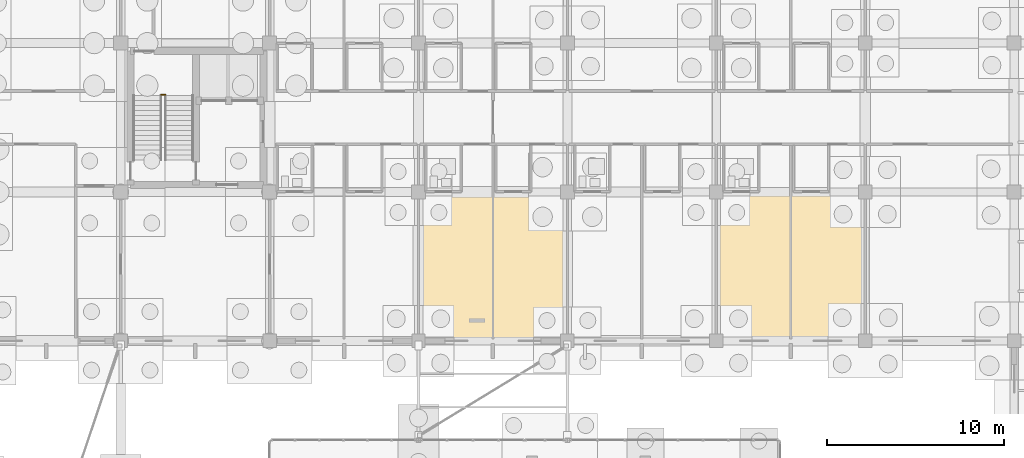
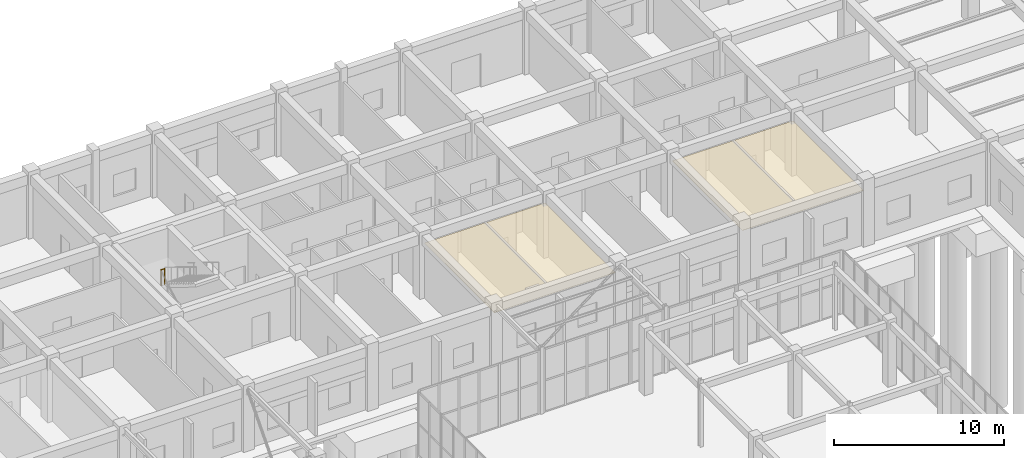
# One storey, part 186 of 192: 2 coverings, 1 railing.
"""IFC4 building model written with IfcOpenShell, lengths in metres."""

from ifc_helpers import new_model, si_unit, direction, frame, origin, origin_2d, place, context, subcontext, project, spatial, polyline, circle, outline, extrude, material, layer, layer_set, type_object, element, save


model = new_model("IFC4")

# Units and contexts
model_context = context("Model", 3, precision=1e-05, world=origin(), true_north=direction((0.0, 1.0)))
body_context = subcontext(model_context, "Body", "Model", "MODEL_VIEW")
ifc_project = project(units=[si_unit("LENGTHUNIT", "METRE"), si_unit("AREAUNIT", "SQUARE_METRE"), si_unit("VOLUMEUNIT", "CUBIC_METRE"), si_unit("PLANEANGLEUNIT", "RADIAN"), si_unit("MASSUNIT", "GRAM", prefix="KILO")], contexts=[model_context])

# Site, building, storey
site_placement = place(None, origin())
site = spatial("IfcSite", under=ifc_project, at=site_placement, CompositionType="ELEMENT")
building_placement = place(site_placement, origin())
building = spatial("IfcBuilding", under=site, at=building_placement, Name="Trelvath General Hospital", CompositionType="ELEMENT")
storey_placement = place(building_placement, origin())
storey = spatial("IfcBuildingStorey", under=building, at=storey_placement, Name="L00", CompositionType="ELEMENT", Elevation=0.0)

# Coverings
ifc_material_1 = material(Name="Hygienic acoustic ceiling tile")
ifc_layer = layer(ifc_material_1, 0.02490234375)
ifc_layer_set = layer_set([ifc_layer], Name="Hygienic acoustic ceiling tile")
covering_type = type_object("IfcCoveringType", Name="Ceiling ClinicalAcoustic", PredefinedType="CEILING", material=ifc_layer_set)
covering_1_placement = place(storey_placement, frame((0.0, 0.0, 3.679931640625)))
element("IfcCovering", 1, at=covering_1_placement, inside=storey, type_object=covering_type, Name="Clinical Acoustic Ceiling L00-11", PredefinedType="CEILING", context=body_context, shape_type="SweptSolid", body=[
    extrude(outline(polyline([(100.89990234375, 92.5), (109.10009765625, 92.5), (109.10009765625, 100.719970703125), (100.89990234375, 100.719970703125), (100.89990234375, 92.5)])), origin(), (0.0, 0.0, 1.0), 0.025146484375),
])
covering_2_placement = place(storey_placement, frame((0.0, 0.0, 3.679931640625)))
element("IfcCovering", 2, at=covering_2_placement, inside=storey, type_object=covering_type, Name="Clinical Acoustic Ceiling L00-12", PredefinedType="CEILING", context=body_context, shape_type="SweptSolid", body=[
    extrude(outline(polyline([(117.699951171875, 92.5), (125.89990234375, 92.5), (125.89990234375, 100.719970703125), (117.699951171875, 100.719970703125), (117.699951171875, 92.5)])), origin(), (0.0, 0.0, 1.0), 0.025146484375),
])

# Railing
ifc_material_2 = material(Name="Architectural painted steel", Category="steel")
railing_type = type_object("IfcRailingType", Name="Guardrail Terrace1150", PredefinedType="GUARDRAIL", material=ifc_material_2)
railing_placement = place(storey_placement, frame((86.27001953125, 106.280029296875, 2.39990234375)))
element("IfcRailing", 3, at=railing_placement, inside=storey, type_object=railing_type, Name="Half-Landing Well Guard ST2 L00 53", PredefinedType="GUARDRAIL", context=body_context, shape_type="SweptSolid", body=[
    extrude(circle(Radius=0.02392578125, at=origin_2d()), frame((0.0, 0.0, 1.1259765625), z_axis=(1.0, 0.0, 0.0), x_axis=(0.0, 1.0, 0.0)), (0.0, 0.0, 1.0), 0.260009765625),
    extrude(circle(Radius=0.02099609375, at=origin_2d()), origin(), (0.0, 0.0, 1.0), 1.099853515625),
    extrude(circle(Radius=0.02099609375, at=origin_2d()), frame((0.260009765625, 0.0, 0.0)), (0.0, 0.0, 1.0), 1.099853515625),
])

save(model, "model.ifc")
